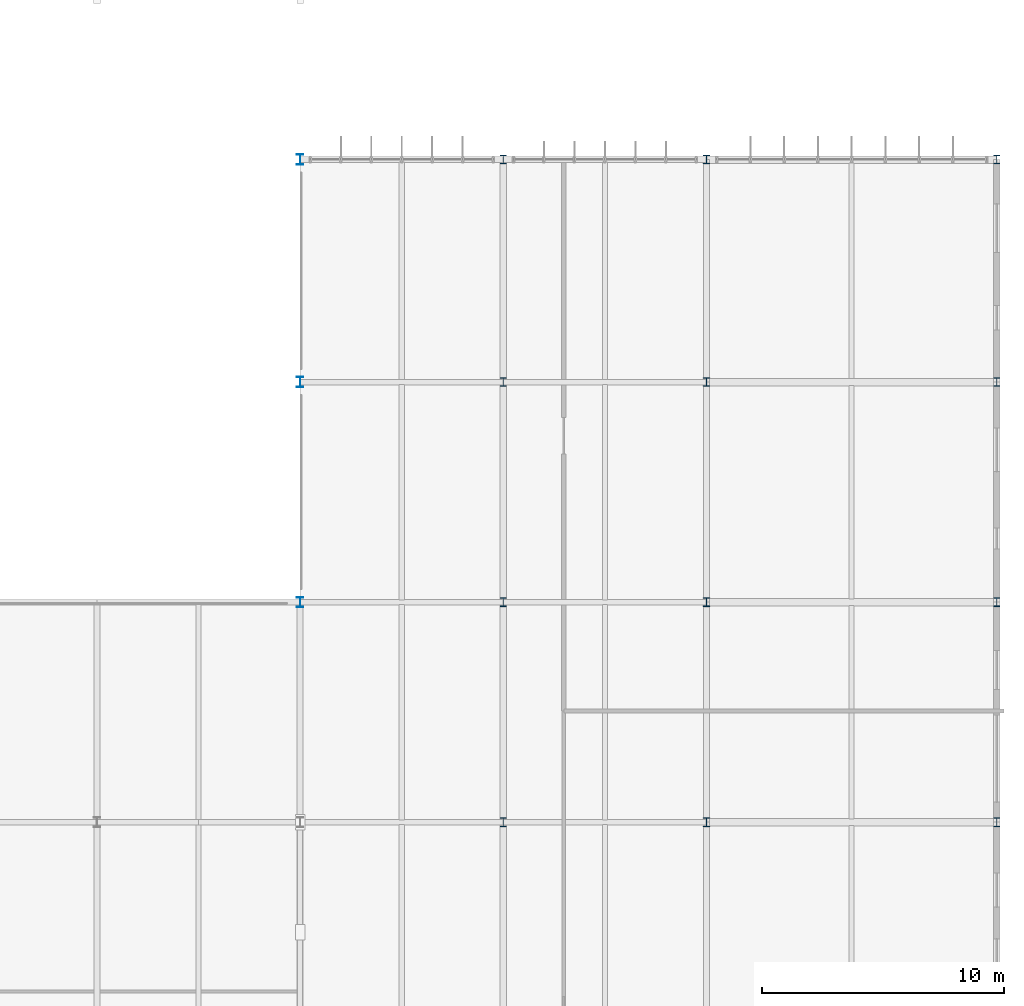
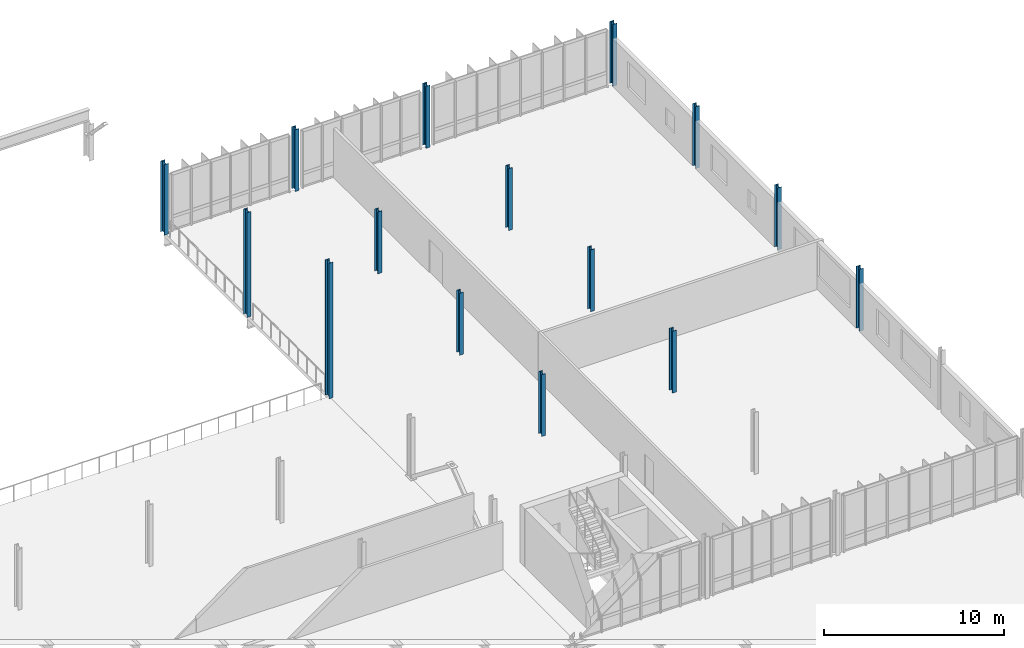
# One storey, part 11 of 107: 15 columns.
"""IFC4 building model written with IfcOpenShell, lengths in metres."""

from ifc_helpers import new_model, si_unit, derived_unit, direction, frame, origin, origin_2d, place, context, subcontext, project, spatial, i_section, extrude, material, material_profile, profile_set, type_object, element, save


model = new_model("IFC4")

# Units and contexts
model_context = context("Model", 3, precision=1e-05, world=origin(), true_north=direction((0.0, 1.0)))
body_context = subcontext(model_context, "Body", "Model", "MODEL_VIEW")
ifc_project = project(units=[si_unit("LENGTHUNIT", "METRE"), si_unit("AREAUNIT", "SQUARE_METRE"), si_unit("VOLUMEUNIT", "CUBIC_METRE"), si_unit("PLANEANGLEUNIT", "RADIAN"), si_unit("MASSUNIT", "GRAM", prefix="KILO"), derived_unit("THERMALTRANSMITTANCEUNIT", [(si_unit("MASSUNIT", "GRAM", prefix="KILO"), 1), (si_unit("TIMEUNIT", "SECOND"), -3), (si_unit("THERMODYNAMICTEMPERATUREUNIT", "KELVIN"), -1)])], contexts=[model_context])

# Site, building, storey
site_placement = place(None, origin())
site = spatial("IfcSite", under=ifc_project, at=site_placement, CompositionType="ELEMENT")
building_placement = place(site_placement, origin())
building = spatial("IfcBuilding", under=site, at=building_placement, Name="Makaiwela Harbour Ferry Terminal", CompositionType="ELEMENT")
storey_placement = place(building_placement, frame((0.0, 0.0, 9.60009765625)))
storey = spatial("IfcBuildingStorey", under=building, at=storey_placement, Name="L02", CompositionType="ELEMENT", Elevation=9.60009765625)

# Columns
ifc_material = material(Name="Steel ASTM A992 Grade 50", Category="steel")
ifc_material_profile_1 = material_profile(ifc_material, i_section(OverallWidth=0.257080078125, OverallDepth=0.363037109375, WebThickness=0.012939453125, FlangeThickness=0.021728515625, at=origin_2d()), Name="W14X82")
ifc_profile_set_1 = profile_set([ifc_material_profile_1], Name="Steel ASTM A992 Grade 50")
column_type_1 = type_object("IfcColumnType", Name="STR-COL-W14X82", PredefinedType="COLUMN", material=ifc_profile_set_1)
for number, where, z_axis, x_axis, name in (
    (1, (147.0, 67.60009765625, 0.0), (0.0, 0.0, 1.0), (1.0, 0.0, 0.0), "Structural Column C-05"),
    (2, (147.0, 76.699951171875, 0.0), (0.0, 0.0, 1.0), (1.0, 0.0, 0.0), "Structural Column C-05"),
    (3, (147.0, 85.800048828125, 0.0), (0.0, 0.0, 1.0), (1.0, 0.0, 0.0), "Structural Column C-05"),
    (4, (147.0, 95.0, 0.0), (0.0, 0.0, 1.0), (1.0, 0.0, 0.0), "Structural Column C-05"),
    (5, (155.39990234375, 67.60009765625, 0.0), (0.0, 0.0, 1.0), (1.0, 0.0, 0.0), "Structural Column C-05"),
    (6, (155.39990234375, 76.699951171875, 0.0), (0.0, 0.0, 1.0), (1.0, 0.0, 0.0), "Structural Column C-05"),
    (7, (155.39990234375, 85.800048828125, 0.0), (0.0, 0.0, 1.0), (1.0, 0.0, 0.0), "Structural Column C-05"),
    (8, (155.39990234375, 95.0, 0.0), (0.0, 0.0, 1.0), (1.0, 0.0, 0.0), "Structural Column C-05"),
    (9, (167.39990234375, 67.60009765625, 0.0), (0.0, 0.0, 1.0), (1.0, 0.0, 0.0), "Structural Column C-05"),
    (10, (167.39990234375, 76.699951171875, 0.0), (0.0, 0.0, 1.0), (1.0, 0.0, 0.0), "Structural Column C-05"),
    (11, (167.39990234375, 85.800048828125, 0.0), (0.0, 0.0, 1.0), (1.0, 0.0, 0.0), "Structural Column C-05"),
    (12, (167.39990234375, 95.0, 0.0), (0.0, 0.0, 1.0), (1.0, 0.0, 0.0), "Structural Column C-05"),
):
    element("IfcColumn", number, at=place(storey_placement, frame(where, z_axis=z_axis, x_axis=x_axis)), inside=storey, type_object=column_type_1, Name=name, PredefinedType="COLUMN", context=body_context, shape_type="SweptSolid", body=[
        extrude(i_section(OverallWidth=0.257080078125, OverallDepth=0.363037109375, WebThickness=0.012939453125, FlangeThickness=0.021728515625, at=origin_2d()), origin(), (0.0, 0.0, 1.0), 4.199951171875),
    ])
ifc_material_profile_2 = material_profile(ifc_material, i_section(OverallWidth=0.260986328125, OverallDepth=0.4189453125, WebThickness=0.01171875, FlangeThickness=0.019287109375, at=origin_2d()), Name="W16X77")
ifc_profile_set_2 = profile_set([ifc_material_profile_2], Name="Steel ASTM A992 Grade 50")
column_type_2 = type_object("IfcColumnType", Name="STR-COL-W16X77", PredefinedType="COLUMN", material=ifc_profile_set_2)
column_1_placement = place(storey_placement, frame((138.60009765625, 76.699951171875, 0.0), z_axis=(0.0, 0.0, 1.0), x_axis=(1.0, 0.0, 0.0)))
element("IfcColumn", 13, at=column_1_placement, inside=storey, type_object=column_type_2, Name="Structural Column C-04", PredefinedType="COLUMN", context=body_context, shape_type="SweptSolid", body=[
    extrude(i_section(OverallWidth=0.260986328125, OverallDepth=0.4189453125, WebThickness=0.01171875, FlangeThickness=0.019287109375, at=origin_2d()), origin(), (0.0, 0.0, 1.0), 9.19287109375),
])
column_2_placement = place(storey_placement, frame((138.60009765625, 85.800048828125, 0.0), z_axis=(0.0, 0.0, 1.0), x_axis=(1.0, 0.0, 0.0)))
element("IfcColumn", 14, at=column_2_placement, inside=storey, type_object=column_type_2, Name="Structural Column C-04", PredefinedType="COLUMN", context=body_context, shape_type="SweptSolid", body=[
    extrude(i_section(OverallWidth=0.260986328125, OverallDepth=0.4189453125, WebThickness=0.01171875, FlangeThickness=0.019287109375, at=origin_2d()), origin(), (0.0, 0.0, 1.0), 7.11279296875),
])
column_3_placement = place(storey_placement, frame((138.60009765625, 95.0, 0.0), z_axis=(0.0, 0.0, 1.0), x_axis=(1.0, 0.0, 0.0)))
element("IfcColumn", 15, at=column_3_placement, inside=storey, type_object=column_type_2, Name="Structural Column C-04", PredefinedType="COLUMN", context=body_context, shape_type="SweptSolid", body=[
    extrude(i_section(OverallWidth=0.260986328125, OverallDepth=0.4189453125, WebThickness=0.01171875, FlangeThickness=0.019287109375, at=origin_2d()), origin(), (0.0, 0.0, 1.0), 4.79296875),
])

save(model, "model.ifc")
